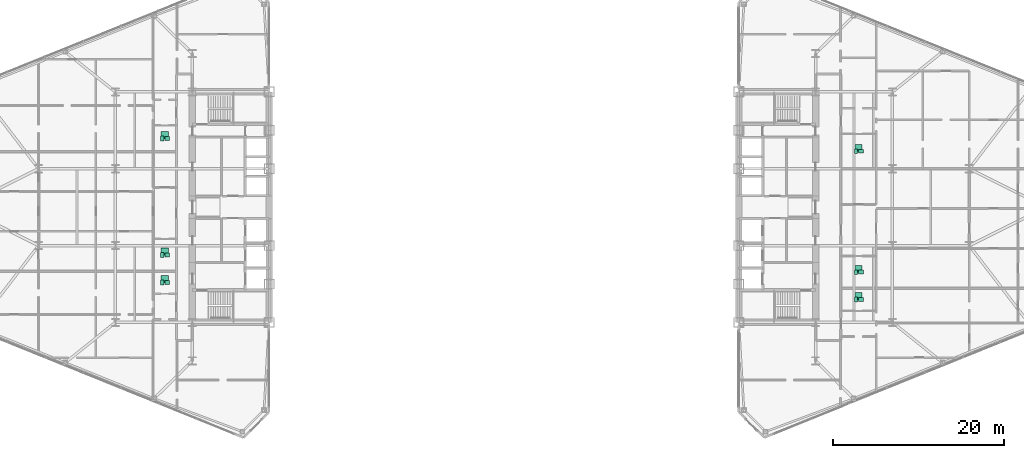
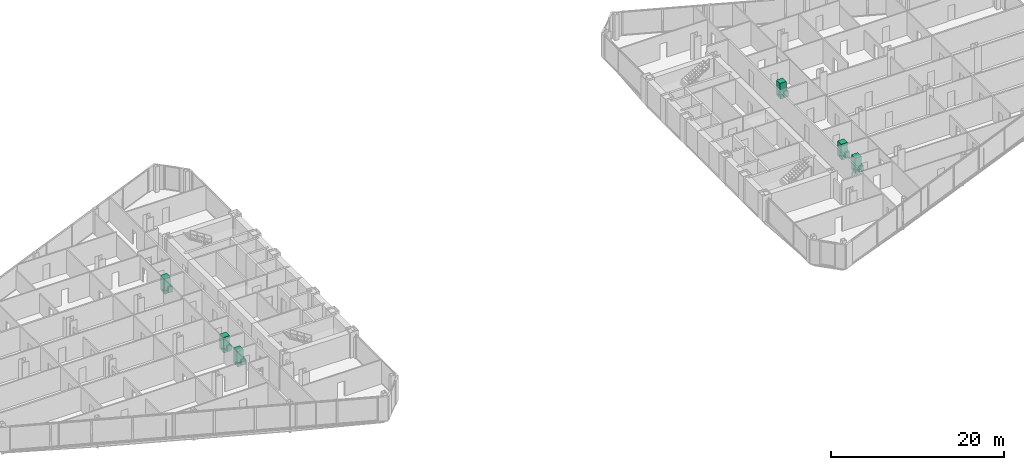
# One storey, part 25 of 25: 18 sanitary terminals.
"""IFC4 building model written with IfcOpenShell, lengths in metres."""

from ifc_helpers import new_model, si_unit, direction, frame, origin, origin_2d, place, context, subcontext, project, spatial, rectangle, extrude, source, transform, mapped, material, type_object, type_shapes, element, save


model = new_model("IFC4")

# Units and contexts
model_context = context("Model", 3, precision=1e-05, world=origin(), true_north=direction((0.0, 1.0)))
body_context = subcontext(model_context, "Body", "Model", "MODEL_VIEW")
ifc_project = project(units=[si_unit("LENGTHUNIT", "METRE"), si_unit("AREAUNIT", "SQUARE_METRE"), si_unit("VOLUMEUNIT", "CUBIC_METRE"), si_unit("PLANEANGLEUNIT", "RADIAN"), si_unit("MASSUNIT", "GRAM", prefix="KILO")], contexts=[model_context])

# Site, building, storey
site_placement = place(None, origin())
site = spatial("IfcSite", under=ifc_project, at=site_placement, CompositionType="ELEMENT")
building_placement = place(site_placement, origin())
building = spatial("IfcBuilding", under=site, at=building_placement, Name="Seokmaru Belvedere", CompositionType="ELEMENT")
storey_placement = place(building_placement, frame((0.0, 0.0, 22.5)))
storey = spatial("IfcBuildingStorey", under=building, at=storey_placement, Name="L05", CompositionType="ELEMENT", Elevation=22.5)

# Sanitary terminals
ifc_material_1 = material(Name="Vitreous China Sanitaryware")
sanitary_terminal_type_1 = type_object("IfcSanitaryTerminalType", Name="Wall-Hung Vitreous China WC Pan", PredefinedType="TOILETPAN", material=ifc_material_1)
shared_shape_1 = source(origin(), body_context, "Body", "SweptSolid", [
    extrude(rectangle(XDim=0.3798828125, YDim=0.56005859375, at=origin_2d()), origin(), (0.0, 0.0, 1.0), 0.419921875),
])
type_shapes(sanitary_terminal_type_1, [shared_shape_1])
for number, where, z_axis, x_axis, name in (
    (1, (-40.02490234375, -8.822021484375, 0.0), (0.0, 0.0, 1.0), (1.0, 0.0, 0.0), "L05 Vitreous China WC 0018"),
    (2, (-40.02490234375, -5.611083984375, 0.0), (0.0, 0.0, 1.0), (1.0, 0.0, 0.0), "L05 Vitreous China WC 0019"),
    (3, (-40.02490234375, 8.0390625, 0.0), (0.0, 0.0, 1.0), (1.0, 0.0, 0.0), "L05 Vitreous China WC 0020"),
    (4, (41.22509765625, -10.822021484375, 0.0), (0.0, 0.0, 1.0), (1.0, 0.0, 0.0), "L05 Vitreous China WC 0021"),
    (5, (41.22509765625, -7.611083984375, 0.0), (0.0, 0.0, 1.0), (1.0, 0.0, 0.0), "L05 Vitreous China WC 0022"),
    (6, (41.22509765625, 6.5390625, 0.0), (0.0, 0.0, 1.0), (1.0, 0.0, 0.0), "L05 Vitreous China WC 0023"),
):
    element("IfcSanitaryTerminal", number, at=place(storey_placement, frame(where, z_axis=z_axis, x_axis=x_axis)), inside=storey, type_object=sanitary_terminal_type_1, Name=name, PredefinedType="TOILETPAN", context=body_context, shape_type="MappedRepresentation", body=[
        mapped(shared_shape_1, transform((0.0, 0.0, 0.0), scale=1.0)),
    ])
sanitary_terminal_type_2 = type_object("IfcSanitaryTerminalType", Name="Countertop Ceramic Washhand Basin", PredefinedType="WASHHANDBASIN", material=ifc_material_1)
shared_shape_2 = source(origin(), body_context, "Body", "SweptSolid", [
    extrude(rectangle(XDim=0.550048828125, YDim=0.449951171875, at=origin_2d()), origin(), (0.0, 0.0, 1.0), 0.820068359375),
])
type_shapes(sanitary_terminal_type_2, [shared_shape_2])
for number, where, z_axis, x_axis, name in (
    (7, (-39.425048828125, -8.822021484375, 0.0), (0.0, 0.0, 1.0), (1.0, 0.0, 0.0), "L05 Ceramic Washhand Basin 0018"),
    (8, (-39.425048828125, -5.611083984375, 0.0), (0.0, 0.0, 1.0), (1.0, 0.0, 0.0), "L05 Ceramic Washhand Basin 0019"),
    (9, (-39.425048828125, 8.0390625, 0.0), (0.0, 0.0, 1.0), (1.0, 0.0, 0.0), "L05 Ceramic Washhand Basin 0020"),
    (10, (41.824951171875, -10.822021484375, 0.0), (0.0, 0.0, 1.0), (1.0, 0.0, 0.0), "L05 Ceramic Washhand Basin 0021"),
    (11, (41.824951171875, -7.611083984375, 0.0), (0.0, 0.0, 1.0), (1.0, 0.0, 0.0), "L05 Ceramic Washhand Basin 0022"),
    (12, (41.824951171875, 6.5390625, 0.0), (0.0, 0.0, 1.0), (1.0, 0.0, 0.0), "L05 Ceramic Washhand Basin 0023"),
):
    element("IfcSanitaryTerminal", number, at=place(storey_placement, frame(where, z_axis=z_axis, x_axis=x_axis)), inside=storey, type_object=sanitary_terminal_type_2, Name=name, PredefinedType="WASHHANDBASIN", context=body_context, shape_type="MappedRepresentation", body=[
        mapped(shared_shape_2, transform((0.0, 0.0, 0.0), scale=1.0)),
    ])
ifc_material_2 = material(Name="Stainless Steel 316", Category="steel")
sanitary_terminal_type_3 = type_object("IfcSanitaryTerminalType", Name="Walk-In Thermostatic Rain Shower Enclosure", PredefinedType="SHOWER", material=ifc_material_2)
shared_shape_3 = source(origin(), body_context, "Body", "SweptSolid", [
    extrude(rectangle(XDim=0.85009765625, YDim=0.85009765625, at=origin_2d()), origin(), (0.0, 0.0, 1.0), 2.050048828125),
])
type_shapes(sanitary_terminal_type_3, [shared_shape_3])
for number, where, z_axis, x_axis, name in (
    (13, (-39.72509765625, -8.44189453125, 0.0), (0.0, 0.0, 1.0), (1.0, 0.0, 0.0), "L05 Walk-In Shower 0018"),
    (14, (-39.72509765625, -5.23095703125, 0.0), (0.0, 0.0, 1.0), (1.0, 0.0, 0.0), "L05 Walk-In Shower 0019"),
    (15, (-39.72509765625, 8.4189453125, 0.0), (0.0, 0.0, 1.0), (1.0, 0.0, 0.0), "L05 Walk-In Shower 0020"),
    (16, (41.52490234375, -10.44189453125, 0.0), (0.0, 0.0, 1.0), (1.0, 0.0, 0.0), "L05 Walk-In Shower 0021"),
    (17, (41.52490234375, -7.23095703125, 0.0), (0.0, 0.0, 1.0), (1.0, 0.0, 0.0), "L05 Walk-In Shower 0022"),
    (18, (41.52490234375, 6.9189453125, 0.0), (0.0, 0.0, 1.0), (1.0, 0.0, 0.0), "L05 Walk-In Shower 0023"),
):
    element("IfcSanitaryTerminal", number, at=place(storey_placement, frame(where, z_axis=z_axis, x_axis=x_axis)), inside=storey, type_object=sanitary_terminal_type_3, Name=name, PredefinedType="SHOWER", context=body_context, shape_type="MappedRepresentation", body=[
        mapped(shared_shape_3, transform((0.0, 0.0, 0.0), scale=1.0)),
    ])

save(model, "model.ifc")
